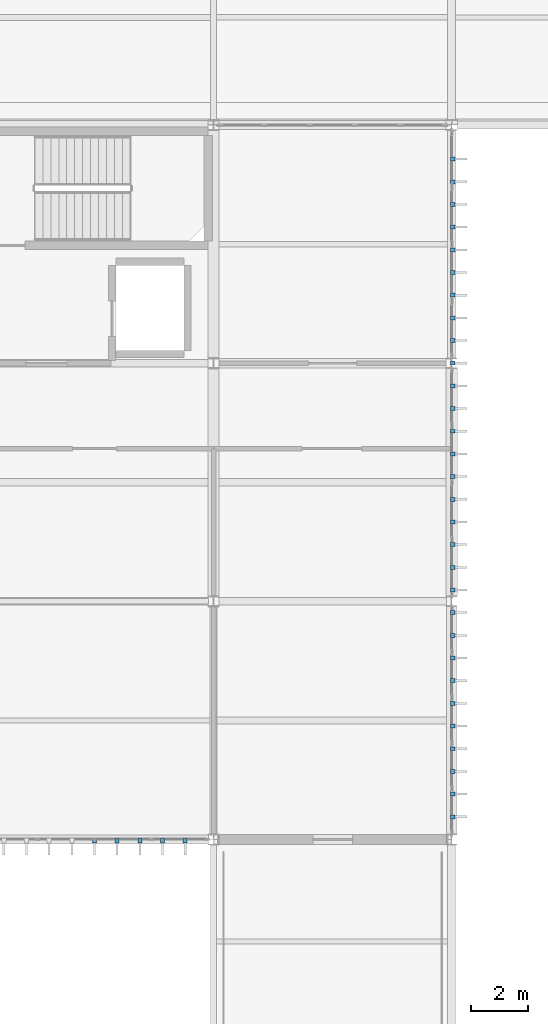
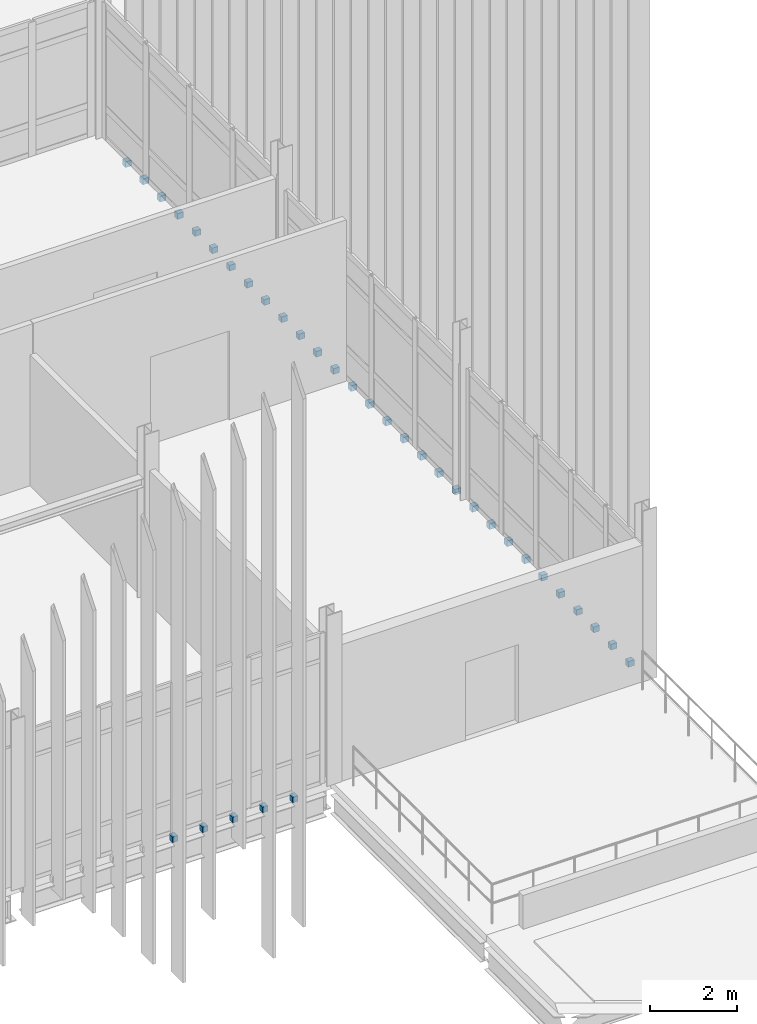
# One storey, part 137 of 153: 35 discrete accessories.
"""IFC4 building model written with IfcOpenShell, lengths in metres."""

from ifc_helpers import new_model, si_unit, direction, frame, origin, origin_2d, place, context, subcontext, project, spatial, rectangle, extrude, material, type_object, element, save


model = new_model("IFC4")

# Units and contexts
model_context = context("Model", 3, precision=1e-05, world=origin(), true_north=direction((0.0, 1.0)))
body_context = subcontext(model_context, "Body", "Model", "MODEL_VIEW")
ifc_project = project(units=[si_unit("LENGTHUNIT", "METRE"), si_unit("AREAUNIT", "SQUARE_METRE"), si_unit("VOLUMEUNIT", "CUBIC_METRE"), si_unit("PLANEANGLEUNIT", "RADIAN"), si_unit("MASSUNIT", "GRAM", prefix="KILO")], contexts=[model_context])

# Site, building, storey
site_placement = place(None, origin())
site = spatial("IfcSite", under=ifc_project, at=site_placement, CompositionType="ELEMENT")
building_placement = place(site_placement, origin())
building = spatial("IfcBuilding", under=site, at=building_placement, Name="Calvrana Isthmian Art Gallery", CompositionType="ELEMENT")
storey_placement = place(building_placement, frame((0.0, 0.0, 10.199951171875)))
storey = spatial("IfcBuildingStorey", under=building, at=storey_placement, Name="L02", CompositionType="ELEMENT", Elevation=10.199951171875)

# Discrete accessories
ifc_material = material(Name="Stainless steel 316", Category="steel")
discrete_accessory_type = type_object("IfcDiscreteAccessoryType", Name="ACC-BRK-FIN", PredefinedType="BRACKET", material=ifc_material)
for number, where, z_axis, x_axis, name in (
    (1, (67.800048828125, 21.56005859375, -0.19970703125), (0.0, 0.0, 1.0), (1.0, 0.0, 0.0), "Solar fin outrigger bracket V1_S-057"),
    (2, (68.60009765625, 21.56005859375, -0.19970703125), (0.0, 0.0, 1.0), (1.0, 0.0, 0.0), "Solar fin outrigger bracket V1_S-058"),
    (3, (69.39990234375, 21.56005859375, -0.19970703125), (0.0, 0.0, 1.0), (1.0, 0.0, 0.0), "Solar fin outrigger bracket V1_S-059"),
    (4, (70.199951171875, 21.56005859375, -0.19970703125), (0.0, 0.0, 1.0), (1.0, 0.0, 0.0), "Solar fin outrigger bracket V1_S-060"),
    (5, (71.0, 21.56005859375, -0.19970703125), (0.0, 0.0, 1.0), (1.0, 0.0, 0.0), "Solar fin outrigger bracket V1_S-061"),
):
    element("IfcDiscreteAccessory", number, at=place(storey_placement, frame(where, z_axis=z_axis, x_axis=x_axis)), inside=storey, type_object=discrete_accessory_type, Name=name, PredefinedType="BRACKET", context=body_context, shape_type="SweptSolid", body=[
        extrude(rectangle(XDim=0.139892578125, YDim=0.159912109375, at=origin_2d()), origin(), (0.0, 0.0, 1.0), 0.159912109375),
    ])
for number, where, z_axis, x_axis, name in (
    (6, (80.43994140625, 22.39990234375, -0.19970703125), (0.0, 0.0, 1.0), (1.0, 0.0, 0.0), "Solar fin outrigger bracket V1_E-000"),
    (7, (80.43994140625, 23.199951171875, -0.19970703125), (0.0, 0.0, 1.0), (1.0, 0.0, 0.0), "Solar fin outrigger bracket V1_E-001"),
    (8, (80.43994140625, 24.0, -0.19970703125), (0.0, 0.0, 1.0), (1.0, 0.0, 0.0), "Solar fin outrigger bracket V1_E-002"),
    (9, (80.43994140625, 24.800048828125, -0.19970703125), (0.0, 0.0, 1.0), (1.0, 0.0, 0.0), "Solar fin outrigger bracket V1_E-003"),
    (10, (80.43994140625, 25.60009765625, -0.19970703125), (0.0, 0.0, 1.0), (1.0, 0.0, 0.0), "Solar fin outrigger bracket V1_E-004"),
    (11, (80.43994140625, 26.39990234375, -0.19970703125), (0.0, 0.0, 1.0), (1.0, 0.0, 0.0), "Solar fin outrigger bracket V1_E-005"),
    (12, (80.43994140625, 27.199951171875, -0.19970703125), (0.0, 0.0, 1.0), (1.0, 0.0, 0.0), "Solar fin outrigger bracket V1_E-006"),
    (13, (80.43994140625, 28.0, -0.19970703125), (0.0, 0.0, 1.0), (1.0, 0.0, 0.0), "Solar fin outrigger bracket V1_E-007"),
    (14, (80.43994140625, 28.800048828125, -0.19970703125), (0.0, 0.0, 1.0), (1.0, 0.0, 0.0), "Solar fin outrigger bracket V1_E-008"),
    (15, (80.43994140625, 29.60009765625, -0.19970703125), (0.0, 0.0, 1.0), (1.0, 0.0, 0.0), "Solar fin outrigger bracket V1_E-009"),
    (16, (80.43994140625, 30.39990234375, -0.19970703125), (0.0, 0.0, 1.0), (1.0, 0.0, 0.0), "Solar fin outrigger bracket V1_E-010"),
    (17, (80.43994140625, 31.199951171875, -0.19970703125), (0.0, 0.0, 1.0), (1.0, 0.0, 0.0), "Solar fin outrigger bracket V1_E-011"),
    (18, (80.43994140625, 32.0, -0.19970703125), (0.0, 0.0, 1.0), (1.0, 0.0, 0.0), "Solar fin outrigger bracket V1_E-012"),
    (19, (80.43994140625, 32.800048828125, -0.19970703125), (0.0, 0.0, 1.0), (1.0, 0.0, 0.0), "Solar fin outrigger bracket V1_E-013"),
    (20, (80.43994140625, 33.60009765625, -0.19970703125), (0.0, 0.0, 1.0), (1.0, 0.0, 0.0), "Solar fin outrigger bracket V1_E-014"),
    (21, (80.43994140625, 34.39990234375, -0.19970703125), (0.0, 0.0, 1.0), (1.0, 0.0, 0.0), "Solar fin outrigger bracket V1_E-015"),
    (22, (80.43994140625, 35.199951171875, -0.19970703125), (0.0, 0.0, 1.0), (1.0, 0.0, 0.0), "Solar fin outrigger bracket V1_E-016"),
    (23, (80.43994140625, 36.0, -0.19970703125), (0.0, 0.0, 1.0), (1.0, 0.0, 0.0), "Solar fin outrigger bracket V1_E-017"),
    (24, (80.43994140625, 36.800048828125, -0.19970703125), (0.0, 0.0, 1.0), (1.0, 0.0, 0.0), "Solar fin outrigger bracket V1_E-018"),
    (25, (80.43994140625, 37.60009765625, -0.19970703125), (0.0, 0.0, 1.0), (1.0, 0.0, 0.0), "Solar fin outrigger bracket V1_E-019"),
    (26, (80.43994140625, 38.39990234375, -0.19970703125), (0.0, 0.0, 1.0), (1.0, 0.0, 0.0), "Solar fin outrigger bracket V1_E-020"),
    (27, (80.43994140625, 39.199951171875, -0.19970703125), (0.0, 0.0, 1.0), (1.0, 0.0, 0.0), "Solar fin outrigger bracket V1_E-021"),
    (28, (80.43994140625, 40.0, -0.19970703125), (0.0, 0.0, 1.0), (1.0, 0.0, 0.0), "Solar fin outrigger bracket V1_E-022"),
    (29, (80.43994140625, 40.800048828125, -0.19970703125), (0.0, 0.0, 1.0), (1.0, 0.0, 0.0), "Solar fin outrigger bracket V1_E-023"),
    (30, (80.43994140625, 41.60009765625, -0.19970703125), (0.0, 0.0, 1.0), (1.0, 0.0, 0.0), "Solar fin outrigger bracket V1_E-024"),
    (31, (80.43994140625, 42.39990234375, -0.19970703125), (0.0, 0.0, 1.0), (1.0, 0.0, 0.0), "Solar fin outrigger bracket V1_E-025"),
    (32, (80.43994140625, 43.199951171875, -0.19970703125), (0.0, 0.0, 1.0), (1.0, 0.0, 0.0), "Solar fin outrigger bracket V1_E-026"),
    (33, (80.43994140625, 44.0, -0.19970703125), (0.0, 0.0, 1.0), (1.0, 0.0, 0.0), "Solar fin outrigger bracket V1_E-027"),
    (34, (80.43994140625, 44.800048828125, -0.19970703125), (0.0, 0.0, 1.0), (1.0, 0.0, 0.0), "Solar fin outrigger bracket V1_E-028"),
    (35, (80.43994140625, 45.60009765625, -0.19970703125), (0.0, 0.0, 1.0), (1.0, 0.0, 0.0), "Solar fin outrigger bracket V1_E-029"),
):
    element("IfcDiscreteAccessory", number, at=place(storey_placement, frame(where, z_axis=z_axis, x_axis=x_axis)), inside=storey, type_object=discrete_accessory_type, Name=name, PredefinedType="BRACKET", context=body_context, shape_type="SweptSolid", body=[
        extrude(rectangle(XDim=0.159912109375, YDim=0.139892578125, at=origin_2d()), origin(), (0.0, 0.0, 1.0), 0.159912109375),
    ])

save(model, "model.ifc")
